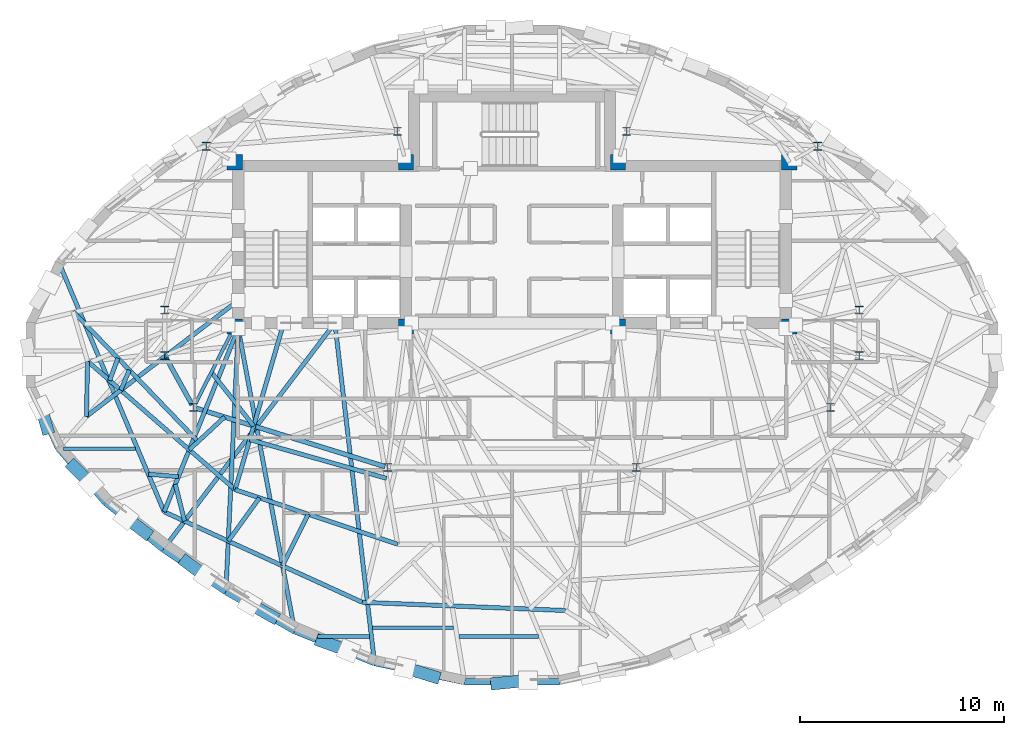
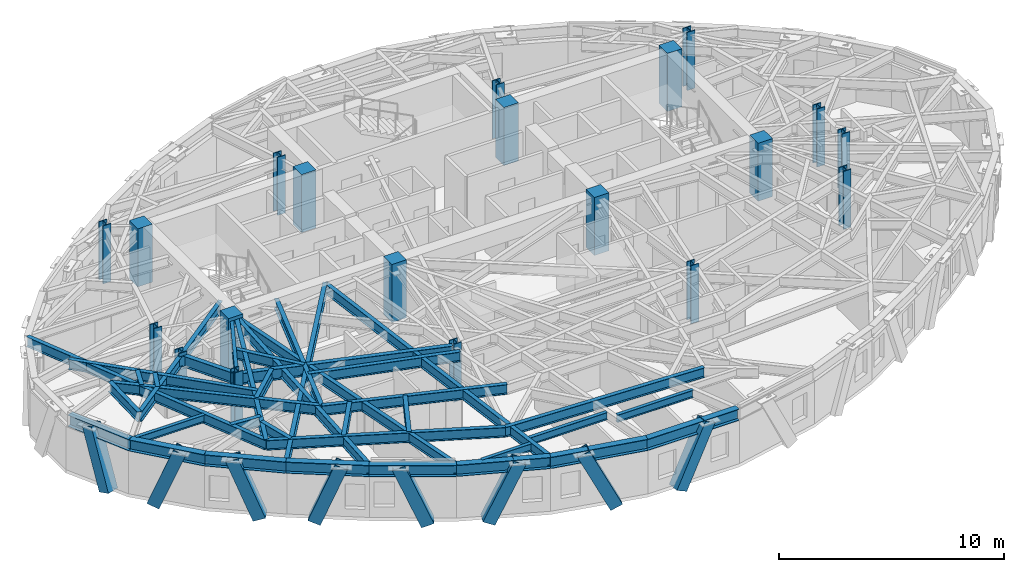
# One storey, part 1 of 13: 38 beams, 20 columns, 8 members.
"""IFC4 building model written with IfcOpenShell, lengths in metres."""

from ifc_helpers import new_model, si_unit, direction, frame, origin, origin_2d, place, context, subcontext, project, spatial, rectangle, hollow_rectangle, i_section, extrude, material, material_profile, profile_set, type_object, element, save


model = new_model("IFC4")

# Units and contexts
model_context = context("Model", 3, precision=1e-05, world=origin(), true_north=direction((0.0, 1.0)))
body_context = subcontext(model_context, "Body", "Model", "MODEL_VIEW")
ifc_project = project(units=[si_unit("LENGTHUNIT", "METRE"), si_unit("AREAUNIT", "SQUARE_METRE"), si_unit("VOLUMEUNIT", "CUBIC_METRE"), si_unit("PLANEANGLEUNIT", "RADIAN"), si_unit("MASSUNIT", "GRAM", prefix="KILO")], contexts=[model_context])

# Site, building, storey
site_placement = place(None, origin())
site = spatial("IfcSite", under=ifc_project, at=site_placement, CompositionType="ELEMENT")
building_placement = place(site_placement, origin())
building = spatial("IfcBuilding", under=site, at=building_placement, Name="Keldmark Tower", CompositionType="ELEMENT")
storey_placement = place(building_placement, frame((0.0, 0.0, 210.0)))
storey = spatial("IfcBuildingStorey", under=building, at=storey_placement, Name="L58", CompositionType="ELEMENT", Elevation=210.0)

# Columns
ifc_material_1 = material(Name="Concrete C50/60", Category="concrete")
ifc_material_profile_1 = material_profile(ifc_material_1, rectangle(XDim=0.75, YDim=0.75, at=origin_2d()), Name="RC750X750")
ifc_profile_set_1 = profile_set([ifc_material_profile_1], Name="Concrete C50/60")
column_type_1 = type_object("IfcColumnType", Name="Core Boundary Column RC750", PredefinedType="PILASTER", material=ifc_profile_set_1)
for number, where, z_axis, x_axis, name in (
    (1, (-13.60009765625, 1.39990234375, 0.0), (0.0, 0.0, 1.0), (1.0, 0.0, 0.0), "L58 Core Boundary Column CC-W1"),
    (2, (-13.60009765625, 9.449951171875, 0.0), (0.0, 0.0, 1.0), (1.0, 0.0, 0.0), "L58 Core Boundary Column CC-W2"),
    (3, (-5.199951171875, 1.39990234375, 0.0), (0.0, 0.0, 1.0), (1.0, 0.0, 0.0), "L58 Core Boundary Column CC-W3"),
    (4, (-5.199951171875, 9.449951171875, 0.0), (0.0, 0.0, 1.0), (1.0, 0.0, 0.0), "L58 Core Boundary Column CC-W4"),
    (5, (5.199951171875, 1.39990234375, 0.0), (0.0, 0.0, 1.0), (1.0, 0.0, 0.0), "L58 Core Boundary Column CC-E1"),
    (6, (5.199951171875, 9.449951171875, 0.0), (0.0, 0.0, 1.0), (1.0, 0.0, 0.0), "L58 Core Boundary Column CC-E2"),
    (7, (13.60009765625, 1.39990234375, 0.0), (0.0, 0.0, 1.0), (1.0, 0.0, 0.0), "L58 Core Boundary Column CC-E3"),
    (8, (13.60009765625, 9.449951171875, 0.0), (0.0, 0.0, 1.0), (1.0, 0.0, 0.0), "L58 Core Boundary Column CC-E4"),
):
    element("IfcColumn", number, at=place(storey_placement, frame(where, z_axis=z_axis, x_axis=x_axis)), inside=storey, type_object=column_type_1, Name=name, PredefinedType="PILASTER", context=body_context, shape_type="SweptSolid", body=[
        extrude(rectangle(XDim=0.75, YDim=0.75, at=origin_2d()), origin(), (0.0, 0.0, 1.0), 3.14990234375),
    ])
ifc_material_2 = material(Name="Steel ASTM A992 Grade 50", Category="steel")
ifc_material_profile_2 = material_profile(ifc_material_2, i_section(OverallWidth=0.404052734375, OverallDepth=0.406982421875, WebThickness=0.027099609375, FlangeThickness=0.043701171875, at=origin_2d()), Name="W14X233")
ifc_profile_set_2 = profile_set([ifc_material_profile_2], Name="Steel ASTM A992 Grade 50")
column_type_2 = type_object("IfcColumnType", Name="Tower Gravity Column W14X233", PredefinedType="COLUMN", material=ifc_profile_set_2)
for number, where, z_axis, x_axis, name in (
    (9, (17.025634765625, 2.2080078125, 0.0), (0.0, 0.0, 1.0), (1.0, 0.0, 0.0), "L58 Tower Gravity Column TC-E1"),
    (10, (14.995849609375, 10.24365234375, 0.0), (0.0, 0.0, 1.0), (1.0, 0.0, 0.0), "L58 Tower Gravity Column TC-E4"),
    (11, (5.61865234375, 10.967041015625, 0.0), (0.0, 0.0, 1.0), (1.0, 0.0, 0.0), "L58 Tower Gravity Column TC-N2"),
    (12, (-5.61865234375, 10.967041015625, 0.0), (0.0, 0.0, 1.0), (1.0, 0.0, 0.0), "L58 Tower Gravity Column TC-N1"),
    (13, (-14.995849609375, 10.24365234375, 0.0), (0.0, 0.0, 1.0), (1.0, 0.0, 0.0), "L58 Tower Gravity Column TC-W4"),
    (14, (-17.025634765625, 2.2080078125, 0.0), (0.0, 0.0, 1.0), (1.0, 0.0, 0.0), "L58 Tower Gravity Column TC-W1"),
    (15, (-17.025634765625, -0.02392578125, 0.0), (0.0, 0.0, 1.0), (1.0, 0.0, 0.0), "L58 Tower Gravity Column TC-W5"),
    (16, (-15.6162109375, -2.5673828125, 0.0), (0.0, 0.0, 1.0), (1.0, 0.0, 0.0), "L58 Tower Gravity Column TC-W2"),
    (17, (-6.089599609375, -5.512939453125, 0.0), (0.0, 0.0, 1.0), (1.0, 0.0, 0.0), "L58 Tower Gravity Column TC-W3"),
    (18, (6.089599609375, -5.512939453125, 0.0), (0.0, 0.0, 1.0), (1.0, 0.0, 0.0), "L58 Tower Gravity Column TC-E3"),
    (19, (15.6162109375, -2.5673828125, 0.0), (0.0, 0.0, 1.0), (1.0, 0.0, 0.0), "L58 Tower Gravity Column TC-E2"),
    (20, (17.025634765625, -0.02392578125, 0.0), (0.0, 0.0, 1.0), (1.0, 0.0, 0.0), "L58 Tower Gravity Column TC-E5"),
):
    element("IfcColumn", number, at=place(storey_placement, frame(where, z_axis=z_axis, x_axis=x_axis)), inside=storey, type_object=column_type_2, Name=name, PredefinedType="COLUMN", context=body_context, shape_type="SweptSolid", body=[
        extrude(i_section(OverallWidth=0.404052734375, OverallDepth=0.406982421875, WebThickness=0.027099609375, FlangeThickness=0.043701171875, at=origin_2d()), origin(), (0.0, 0.0, 1.0), 3.14990234375),
    ])

# Beams
ifc_material_3 = material(Name="Steel ASTM A992 Grade 50", Category="steel")
ifc_material_profile_3 = material_profile(ifc_material_3, i_section(OverallWidth=0.177978515625, OverallDepth=0.403076171875, WebThickness=0.007568359375, FlangeThickness=0.010986328125, at=origin_2d()), Name="W16X36")
ifc_profile_set_3 = profile_set([ifc_material_profile_3], Name="Steel ASTM A992 Grade 50")
beam_type_1 = type_object("IfcBeamType", Name="Composite Floor Joist W16X36", PredefinedType="JOIST", material=ifc_profile_set_3)
beam_1_placement = place(storey_placement, frame((-9.532958984375, -13.800048828125, 2.7685546875), z_axis=(1.0, 0.0, 0.0), x_axis=(0.0, 1.0, 0.0)))
element("IfcBeam", 21, at=beam_1_placement, inside=storey, type_object=beam_type_1, Name="L58 Composite Floor Joist J01", PredefinedType="JOIST", context=body_context, shape_type="SweptSolid", body=[
    extrude(i_section(OverallWidth=0.177978515625, OverallDepth=0.403076171875, WebThickness=0.007568359375, FlangeThickness=0.010986328125, at=origin_2d()), origin(), (0.0, 0.0, 1.0), 2.54296875),
])
beam_2_placement = place(storey_placement, frame((-6.845703125, -13.3798828125, 2.7685546875), z_axis=(1.0, 0.0, 0.0), x_axis=(0.0, 1.0, 0.0)))
element("IfcBeam", 22, at=beam_2_placement, inside=storey, type_object=beam_type_1, Name="L58 Composite Floor Joist J02", PredefinedType="JOIST", context=body_context, shape_type="SweptSolid", body=[
    extrude(i_section(OverallWidth=0.177978515625, OverallDepth=0.403076171875, WebThickness=0.007568359375, FlangeThickness=0.010986328125, at=origin_2d()), origin(), (0.0, 0.0, 1.0), 3.98583984375),
])
beam_3_placement = place(storey_placement, frame((-2.59521484375, -13.800048828125, 2.7685546875), z_axis=(1.0, 0.0, 0.0), x_axis=(0.0, 1.0, 0.0)))
element("IfcBeam", 23, at=beam_3_placement, inside=storey, type_object=beam_type_1, Name="L58 Composite Floor Joist J03", PredefinedType="JOIST", context=body_context, shape_type="SweptSolid", body=[
    extrude(i_section(OverallWidth=0.177978515625, OverallDepth=0.403076171875, WebThickness=0.007568359375, FlangeThickness=0.010986328125, at=origin_2d()), origin(), (0.0, 0.0, 1.0), 3.904052734375),
])
beam_4_placement = place(storey_placement, frame((-22.00439453125, -4.60009765625, 2.7685546875), z_axis=(1.0, 0.0, 0.0), x_axis=(0.0, 1.0, 0.0)))
element("IfcBeam", 24, at=beam_4_placement, inside=storey, type_object=beam_type_1, Name="L58 Composite Floor Joist J05", PredefinedType="JOIST", context=body_context, shape_type="SweptSolid", body=[
    extrude(i_section(OverallWidth=0.177978515625, OverallDepth=0.403076171875, WebThickness=0.007568359375, FlangeThickness=0.010986328125, at=origin_2d()), origin(), (0.0, 0.0, 1.0), 3.540771484375),
])

# Members
ifc_material_4 = material(Name="Steel ASTM A572 Grade 50", Category="steel")
ifc_material_profile_4 = material_profile(ifc_material_4, hollow_rectangle(XDim=0.60009765625, YDim=0.60009765625, WallThickness=0.034912109375, at=origin_2d()), Name="BOX600X600X35")
ifc_profile_set_4 = profile_set([ifc_material_profile_4], Name="Steel ASTM A572 Grade 50")
member_type = type_object("IfcMemberType", Name="Diagrid Zone 4 Brace BOX600X600X35", PredefinedType="BRACE", material=ifc_profile_set_4)
member_1_placement = place(storey_placement, frame((-22.7939453125, -3.59228515625, -0.260009765625), z_axis=(-0.090240232025, 0.310901737661, 0.946148408043), x_axis=(-0.960364059003, -0.278748765334, 0.0)))
element("IfcMember", 25, at=member_1_placement, inside=storey, type_object=member_type, Name="L58 Perimeter Diagrid Brace 09A", PredefinedType="BRACE", context=body_context, shape_type="SweptSolid", body=[
    extrude(hollow_rectangle(XDim=0.60009765625, YDim=0.60009765625, WallThickness=0.034912109375, at=origin_2d()), origin(), (0.0, 0.0, 1.0), 3.287109375),
])
member_2_placement = place(storey_placement, frame((-21.50439453125, -5.4619140625, -0.260009765625), z_axis=(0.257204131961, -0.258665934359, 0.931095037525), x_axis=(0.709107637227, 0.705100247359, 0.0)))
element("IfcMember", 26, at=member_2_placement, inside=storey, type_object=member_type, Name="L58 Perimeter Diagrid Brace 09B", PredefinedType="BRACE", context=body_context, shape_type="SweptSolid", body=[
    extrude(hollow_rectangle(XDim=0.60009765625, YDim=0.60009765625, WallThickness=0.034912109375, at=origin_2d()), origin(), (0.0, 0.0, 1.0), 3.34033203125),
])
member_3_placement = place(storey_placement, frame((-17.96337890625, -8.708984375, -0.260009765625), z_axis=(-0.291346772055, 0.223292839335, 0.930192112585), x_axis=(-0.608306252229, -0.793702402352, 0.0)))
element("IfcMember", 27, at=member_3_placement, inside=storey, type_object=member_type, Name="L58 Perimeter Diagrid Brace 10A", PredefinedType="BRACE", context=body_context, shape_type="SweptSolid", body=[
    extrude(hollow_rectangle(XDim=0.60009765625, YDim=0.60009765625, WallThickness=0.034912109375, at=origin_2d()), origin(), (0.0, 0.0, 1.0), 3.343505859375),
])
member_4_placement = place(storey_placement, frame((-15.97998046875, -10.14111328125, -0.260009765625), z_axis=(0.291729776838, -0.216621609174, 0.931648439995), x_axis=(0.596160940439, 0.802864953211, 0.0)))
element("IfcMember", 28, at=member_4_placement, inside=storey, type_object=member_type, Name="L58 Perimeter Diagrid Brace 10B", PredefinedType="BRACE", context=body_context, shape_type="SweptSolid", body=[
    extrude(hollow_rectangle(XDim=0.60009765625, YDim=0.60009765625, WallThickness=0.034912109375, at=origin_2d()), origin(), (0.0, 0.0, 1.0), 3.33837890625),
])
member_5_placement = place(storey_placement, frame((-11.73681640625, -12.831787109375, -0.260009765625), z_axis=(-0.335559982511, 0.189979243282, 0.922663202506), x_axis=(-0.492676053826, -0.870212793509, 0.0)))
element("IfcMember", 29, at=member_5_placement, inside=storey, type_object=member_type, Name="L58 Perimeter Diagrid Brace 11A", PredefinedType="BRACE", context=body_context, shape_type="SweptSolid", body=[
    extrude(hollow_rectangle(XDim=0.60009765625, YDim=0.60009765625, WallThickness=0.034912109375, at=origin_2d()), origin(), (0.0, 0.0, 1.0), 3.370849609375),
])
member_6_placement = place(storey_placement, frame((-9.344970703125, -14.027587890625, -0.260009765625), z_axis=(0.388043307674, -0.140502137383, 0.910868563932), x_axis=(0.340449006491, 0.940262981287, 0.0)))
element("IfcMember", 30, at=member_6_placement, inside=storey, type_object=member_type, Name="L58 Perimeter Diagrid Brace 11B", PredefinedType="BRACE", context=body_context, shape_type="SweptSolid", body=[
    extrude(hollow_rectangle(XDim=0.60009765625, YDim=0.60009765625, WallThickness=0.034912109375, at=origin_2d()), origin(), (0.0, 0.0, 1.0), 3.41455078125),
])
member_7_placement = place(storey_placement, frame((-3.808837890625, -15.77587890625, -0.260009765625), z_axis=(-0.417902527142, 0.12807487485, 0.899418870294), x_axis=(-0.293018682572, -0.956106715625, 0.0)))
element("IfcMember", 31, at=member_7_placement, inside=storey, type_object=member_type, Name="L58 Perimeter Diagrid Brace 12A", PredefinedType="BRACE", context=body_context, shape_type="SweptSolid", body=[
    extrude(hollow_rectangle(XDim=0.60009765625, YDim=0.60009765625, WallThickness=0.034912109375, at=origin_2d()), origin(), (0.0, 0.0, 1.0), 3.4580078125),
])
member_8_placement = place(storey_placement, frame((-0.776611328125, -16.10595703125, -0.260009765625), z_axis=(0.44737007556, 0.04396567984, 0.893267616389), x_axis=(-0.097804691048, 0.995205628204, 0.0)))
element("IfcMember", 32, at=member_8_placement, inside=storey, type_object=member_type, Name="L58 Perimeter Diagrid Brace 12B", PredefinedType="BRACE", context=body_context, shape_type="SweptSolid", body=[
    extrude(hollow_rectangle(XDim=0.60009765625, YDim=0.60009765625, WallThickness=0.034912109375, at=origin_2d()), origin(), (0.0, 0.0, 1.0), 3.481689453125),
])

# Beams
ifc_material_5 = material(Name="Steel ASTM A992 Grade 50", Category="steel")
ifc_material_profile_5 = material_profile(ifc_material_5, i_section(OverallWidth=0.22802734375, OverallDepth=0.60302734375, WebThickness=0.010498046875, FlangeThickness=0.014892578125, at=origin_2d()), Name="W24X68")
ifc_profile_set_5 = profile_set([ifc_material_profile_5], Name="Steel ASTM A992 Grade 50")
beam_type_2 = type_object("IfcBeamType", Name="Primary Floor Girder W24X68", PredefinedType="BEAM", material=ifc_profile_set_5)
beam_5_placement = place(storey_placement, frame((-16.957763671875, -0.146484375, 2.66845703125), z_axis=(0.484719680408, -0.874669555561, 0.0), x_axis=(0.874669555561, 0.484719680408, 0.0)))
element("IfcBeam", 33, at=beam_5_placement, inside=storey, type_object=beam_type_2, Name="L58 Floor Ring Girder FG-R07", PredefinedType="BEAM", context=body_context, shape_type="SweptSolid", body=[
    extrude(i_section(OverallWidth=0.22802734375, OverallDepth=0.60302734375, WebThickness=0.010498046875, FlangeThickness=0.014892578125, at=origin_2d()), origin(), (0.0, 0.0, 1.0), 2.627685546875),
])
beam_6_placement = place(storey_placement, frame((-15.482421875, -2.60888671875, 2.66845703125), z_axis=(0.955383255089, -0.295368982622, 0.0), x_axis=(0.295368982622, 0.955383255089, 0.0)))
element("IfcBeam", 34, at=beam_6_placement, inside=storey, type_object=beam_type_2, Name="L58 Floor Ring Girder FG-R08", PredefinedType="BEAM", context=body_context, shape_type="SweptSolid", body=[
    extrude(i_section(OverallWidth=0.22802734375, OverallDepth=0.60302734375, WebThickness=0.010498046875, FlangeThickness=0.014892578125, at=origin_2d()), origin(), (0.0, 0.0, 1.0), 9.69140625),
])
ifc_material_6 = material(Name="Steel ASTM A992 Grade 50", Category="steel")
ifc_material_profile_6 = material_profile(ifc_material_6, i_section(OverallWidth=0.166015625, OverallDepth=0.529052734375, WebThickness=0.009765625, FlangeThickness=0.013671875, at=origin_2d()), Name="W21X50")
ifc_profile_set_6 = profile_set([ifc_material_profile_6], Name="Steel ASTM A992 Grade 50")
beam_type_3 = type_object("IfcBeamType", Name="Radial Tie Girder W21X50", PredefinedType="BEAM", material=ifc_profile_set_6)
beam_7_placement = place(storey_placement, frame((-15.552734375, -2.442626953125, 2.70556640625), z_axis=(0.453004410574, 0.89150827478, 0.0), x_axis=(-0.89150827478, 0.453004410574, 0.0)))
element("IfcBeam", 35, at=beam_7_placement, inside=storey, type_object=beam_type_3, Name="L58 Floor Radial Girder FG-C08", PredefinedType="BEAM", context=body_context, shape_type="SweptSolid", body=[
    extrude(i_section(OverallWidth=0.166015625, OverallDepth=0.529052734375, WebThickness=0.009765625, FlangeThickness=0.013671875, at=origin_2d()), origin(), (0.0, 0.0, 1.0), 3.990234375),
])
ifc_material_7 = material(Name="Steel ASTM A992 Grade 50", Category="steel")
ifc_material_profile_7 = material_profile(ifc_material_7, i_section(OverallWidth=0.2099609375, OverallDepth=0.537109375, WebThickness=0.010986328125, FlangeThickness=0.017333984375, at=origin_2d()), Name="W21X68")
ifc_profile_set_7 = profile_set([ifc_material_profile_7], Name="Steel ASTM A992 Grade 50")
beam_type_4 = type_object("IfcBeamType", Name="Radial Tie Girder W21X68", PredefinedType="BEAM", material=ifc_profile_set_7)
beam_8_placement = place(storey_placement, frame((-14.7392578125, -0.841796875, 2.701416015625), z_axis=(0.617673635269, -0.78643453656, 0.0), x_axis=(0.78643453656, 0.617673635269, 0.0)))
element("IfcBeam", 36, at=beam_8_placement, inside=storey, type_object=beam_type_4, Name="L58 Framing Pin Header PH-002", PredefinedType="BEAM", context=body_context, shape_type="SweptSolid", body=[
    extrude(i_section(OverallWidth=0.2099609375, OverallDepth=0.537109375, WebThickness=0.010986328125, FlangeThickness=0.017333984375, at=origin_2d()), origin(), (0.0, 0.0, 1.0), 3.353271484375),
])
beam_9_placement = place(storey_placement, frame((-11.19287109375, 1.574951171875, 2.701416015625), z_axis=(-0.280177253501, -0.959948283305, 0.0), x_axis=(0.959948283305, -0.280177253501, 0.0)))
element("IfcBeam", 37, at=beam_9_placement, inside=storey, type_object=beam_type_4, Name="L58 Sub-Ring Step Girder STP1-M08", PredefinedType="BEAM", context=body_context, shape_type="SweptSolid", body=[
    extrude(i_section(OverallWidth=0.2099609375, OverallDepth=0.537109375, WebThickness=0.010986328125, FlangeThickness=0.017333984375, at=origin_2d()), origin(), (0.0, 0.0, 1.0), 8.51513671875),
])
beam_10_placement = place(storey_placement, frame((-12.86279296875, -4.14697265625, 2.701416015625), z_axis=(0.962213141849, -0.272297391934, 0.0), x_axis=(0.272297391934, 0.962213141849, 0.0)))
element("IfcBeam", 38, at=beam_10_placement, inside=storey, type_object=beam_type_4, Name="L58 Framing Pin Header PH-003", PredefinedType="BEAM", context=body_context, shape_type="SweptSolid", body=[
    extrude(i_section(OverallWidth=0.2099609375, OverallDepth=0.537109375, WebThickness=0.010986328125, FlangeThickness=0.017333984375, at=origin_2d()), origin(), (0.0, 0.0, 1.0), 6.9736328125),
])
beam_11_placement = place(storey_placement, frame((-20.813720703125, -0.30322265625, 2.701416015625), z_axis=(0.75437311483, -0.656445887809, 0.0), x_axis=(0.656445887809, 0.75437311483, 0.0)))
element("IfcBeam", 39, at=beam_11_placement, inside=storey, type_object=beam_type_4, Name="L58 Perimeter Collector Ring Beam CRG1-M07", PredefinedType="BEAM", context=body_context, shape_type="SweptSolid", body=[
    extrude(i_section(OverallWidth=0.2099609375, OverallDepth=0.537109375, WebThickness=0.010986328125, FlangeThickness=0.017333984375, at=origin_2d()), origin(), (0.0, 0.0, 1.0), 9.5908203125),
])
beam_12_placement = place(storey_placement, frame((-13.57861328125, -6.59912109375, 2.701416015625), z_axis=(0.947893328754, -0.318587880034, 0.0), x_axis=(0.318587880034, 0.947893328754, 0.0)))
element("IfcBeam", 40, at=beam_12_placement, inside=storey, type_object=beam_type_4, Name="L58 Perimeter Collector Ring Beam CRG1-M08", PredefinedType="BEAM", context=body_context, shape_type="SweptSolid", body=[
    extrude(i_section(OverallWidth=0.2099609375, OverallDepth=0.537109375, WebThickness=0.010986328125, FlangeThickness=0.017333984375, at=origin_2d()), origin(), (0.0, 0.0, 1.0), 8.406494140625),
])
beam_13_placement = place(storey_placement, frame((-14.093505859375, -3.0380859375, 2.701416015625), z_axis=(-0.733522050486, -0.679665654164, 0.0), x_axis=(0.679665654164, -0.733522050486, 0.0)))
element("IfcBeam", 41, at=beam_13_placement, inside=storey, type_object=beam_type_4, Name="L58 Framing Pin Header PH-007", PredefinedType="BEAM", context=body_context, shape_type="SweptSolid", body=[
    extrude(i_section(OverallWidth=0.2099609375, OverallDepth=0.537109375, WebThickness=0.010986328125, FlangeThickness=0.017333984375, at=origin_2d()), origin(), (0.0, 0.0, 1.0), 2.36181640625),
])
beam_14_placement = place(storey_placement, frame((-13.425048828125, 1.300048828125, 2.701416015625), z_axis=(-0.374562996467, -0.927201467685, 0.0), x_axis=(0.927201467685, -0.374562996467, 0.0)))
element("IfcBeam", 42, at=beam_14_placement, inside=storey, type_object=beam_type_4, Name="L58 Sub-Ring Step Girder STP2-M08", PredefinedType="BEAM", context=body_context, shape_type="SweptSolid", body=[
    extrude(i_section(OverallWidth=0.2099609375, OverallDepth=0.537109375, WebThickness=0.010986328125, FlangeThickness=0.017333984375, at=origin_2d()), origin(), (0.0, 0.0, 1.0), 9.69287109375),
])
beam_15_placement = place(storey_placement, frame((-17.0556640625, -7.687255859375, 2.701416015625), z_axis=(0.909623799146, -0.415432959726, 0.0), x_axis=(0.415432959726, 0.909623799146, 0.0)))
element("IfcBeam", 43, at=beam_15_placement, inside=storey, type_object=beam_type_4, Name="L58 Perimeter Collector Ring Beam CRG2-M08", PredefinedType="BEAM", context=body_context, shape_type="SweptSolid", body=[
    extrude(i_section(OverallWidth=0.2099609375, OverallDepth=0.537109375, WebThickness=0.010986328125, FlangeThickness=0.017333984375, at=origin_2d()), origin(), (0.0, 0.0, 1.0), 10.68212890625),
])
beam_16_placement = place(storey_placement, frame((-7.3388671875, -12.125, 2.701416015625), z_axis=(0.999184195532, -0.040384940262, 0.0), x_axis=(0.040384940262, 0.999184195532, 0.0)))
element("IfcBeam", 44, at=beam_16_placement, inside=storey, type_object=beam_type_4, Name="L58 Perimeter Collector Ring Beam CRG2-M09", PredefinedType="BEAM", context=body_context, shape_type="SweptSolid", body=[
    extrude(i_section(OverallWidth=0.2099609375, OverallDepth=0.537109375, WebThickness=0.010986328125, FlangeThickness=0.017333984375, at=origin_2d()), origin(), (0.0, 0.0, 1.0), 9.962646484375),
])
beam_17_placement = place(storey_placement, frame((-19.728271484375, -1.247802734375, 2.701416015625), z_axis=(0.344408066753, 0.938820048548, 0.0), x_axis=(-0.938820048548, 0.344408066753, 0.0)))
element("IfcBeam", 45, at=beam_17_placement, inside=storey, type_object=beam_type_4, Name="L58 Framing Pin Header PH-016", PredefinedType="BEAM", context=body_context, shape_type="SweptSolid", body=[
    extrude(i_section(OverallWidth=0.2099609375, OverallDepth=0.537109375, WebThickness=0.010986328125, FlangeThickness=0.017333984375, at=origin_2d()), origin(), (0.0, 0.0, 1.0), 1.1689453125),
])
beam_18_placement = place(storey_placement, frame((-15.392822265625, -4.2421875, 2.701416015625), z_axis=(-0.692990125945, 0.720947075271, 0.0), x_axis=(-0.720947075271, -0.692990125945, 0.0)))
element("IfcBeam", 46, at=beam_18_placement, inside=storey, type_object=beam_type_4, Name="L58 Intermediate Radial Step Girder RT-15M", PredefinedType="BEAM", context=body_context, shape_type="SweptSolid", body=[
    extrude(i_section(OverallWidth=0.2099609375, OverallDepth=0.537109375, WebThickness=0.010986328125, FlangeThickness=0.017333984375, at=origin_2d()), origin(), (0.0, 0.0, 1.0), 8.84619140625),
])
beam_19_placement = place(storey_placement, frame((-17.0556640625, -7.687255859375, 2.701416015625), z_axis=(-0.388967885596, 0.921251314232, 0.0), x_axis=(-0.921251314232, -0.388967885596, 0.0)))
element("IfcBeam", 47, at=beam_19_placement, inside=storey, type_object=beam_type_4, Name="L58 Perimeter Radial Tie Girder RT-15", PredefinedType="BEAM", context=body_context, shape_type="SweptSolid", body=[
    extrude(i_section(OverallWidth=0.2099609375, OverallDepth=0.537109375, WebThickness=0.010986328125, FlangeThickness=0.017333984375, at=origin_2d()), origin(), (0.0, 0.0, 1.0), 13.3095703125),
])
beam_20_placement = place(storey_placement, frame((-18.764404296875, -0.734375, 2.701416015625), z_axis=(-0.391362391985, -0.920236642468, 0.0), x_axis=(0.920236642468, -0.391362391985, 0.0)))
element("IfcBeam", 48, at=beam_20_placement, inside=storey, type_object=beam_type_4, Name="L58 Framing Pin Header PH-018", PredefinedType="BEAM", context=body_context, shape_type="SweptSolid", body=[
    extrude(i_section(OverallWidth=0.2099609375, OverallDepth=0.537109375, WebThickness=0.010986328125, FlangeThickness=0.017333984375, at=origin_2d()), origin(), (0.0, 0.0, 1.0), 1.072265625),
])
beam_21_placement = place(storey_placement, frame((-13.425048828125, 2.675048828125, 2.701416015625), z_axis=(-0.794878454083, -0.606768690058, 0.0), x_axis=(0.606768690058, -0.794878454083, 0.0)))
element("IfcBeam", 49, at=beam_21_placement, inside=storey, type_object=beam_type_4, Name="L58 Intermediate Radial Step Girder RT-18M", PredefinedType="BEAM", context=body_context, shape_type="SweptSolid", body=[
    extrude(i_section(OverallWidth=0.2099609375, OverallDepth=0.537109375, WebThickness=0.010986328125, FlangeThickness=0.017333984375, at=origin_2d()), origin(), (0.0, 0.0, 1.0), 9.365478515625),
])
beam_22_placement = place(storey_placement, frame((-20.813720703125, -0.30322265625, 2.701416015625), z_axis=(-0.020578831563, -0.999788233423, 0.0), x_axis=(0.999788233423, -0.020578831563, 0.0)))
element("IfcBeam", 50, at=beam_22_placement, inside=storey, type_object=beam_type_4, Name="L58 Local Collector Chord RT-18C", PredefinedType="BEAM", context=body_context, shape_type="SweptSolid", body=[
    extrude(i_section(OverallWidth=0.2099609375, OverallDepth=0.537109375, WebThickness=0.010986328125, FlangeThickness=0.017333984375, at=origin_2d()), origin(), (0.0, 0.0, 1.0), 2.704833984375),
])
beam_23_placement = place(storey_placement, frame((-17.83203125, -5.847900390625, 2.701416015625), z_axis=(0.997097079043, -0.076140757568, 0.0), x_axis=(0.076140757568, 0.997097079043, 0.0)))
element("IfcBeam", 51, at=beam_23_placement, inside=storey, type_object=beam_type_4, Name="L58 Framing Pin Header PH-019", PredefinedType="BEAM", context=body_context, shape_type="SweptSolid", body=[
    extrude(i_section(OverallWidth=0.2099609375, OverallDepth=0.537109375, WebThickness=0.010986328125, FlangeThickness=0.017333984375, at=origin_2d()), origin(), (0.0, 0.0, 1.0), 1.478271484375),
])
beam_24_placement = place(storey_placement, frame((-16.510986328125, -6.339111328125, 2.701416015625), z_axis=(0.244633792453, -0.969615546281, 0.0), x_axis=(0.969615546281, 0.244633792453, 0.0)))
element("IfcBeam", 52, at=beam_24_placement, inside=storey, type_object=beam_type_4, Name="L58 Framing Pin Header PH-020", PredefinedType="BEAM", context=body_context, shape_type="SweptSolid", body=[
    extrude(i_section(OverallWidth=0.2099609375, OverallDepth=0.537109375, WebThickness=0.010986328125, FlangeThickness=0.017333984375, at=origin_2d()), origin(), (0.0, 0.0, 1.0), 1.861328125),
])
beam_25_placement = place(storey_placement, frame((-8.685791015625, 1.574951171875, 2.701416015625), z_axis=(-0.604237523623, -0.796804251398, 0.0), x_axis=(0.796804251398, -0.604237523623, 0.0)))
element("IfcBeam", 53, at=beam_25_placement, inside=storey, type_object=beam_type_4, Name="L58 Perimeter Radial Tie Girder RT-20", PredefinedType="BEAM", context=body_context, shape_type="SweptSolid", body=[
    extrude(i_section(OverallWidth=0.2099609375, OverallDepth=0.537109375, WebThickness=0.010986328125, FlangeThickness=0.017333984375, at=origin_2d()), origin(), (0.0, 0.0, 1.0), 13.91943359375),
])
beam_26_placement = place(storey_placement, frame((-12.38330078125, -7.0009765625, 2.701416015625), z_axis=(-0.585371280866, -0.810765356646, 0.0), x_axis=(0.810765356646, -0.585371280866, 0.0)))
element("IfcBeam", 54, at=beam_26_placement, inside=storey, type_object=beam_type_4, Name="L58 Framing Pin Header PH-021", PredefinedType="BEAM", context=body_context, shape_type="SweptSolid", body=[
    extrude(i_section(OverallWidth=0.2099609375, OverallDepth=0.537109375, WebThickness=0.010986328125, FlangeThickness=0.017333984375, at=origin_2d()), origin(), (0.0, 0.0, 1.0), 2.615966796875),
])
beam_27_placement = place(storey_placement, frame((-13.425048828125, 1.300048828125, 2.701416015625), z_axis=(-0.046919115005, -0.998898691884, 0.0), x_axis=(0.998898691884, -0.046919115005, 0.0)))
element("IfcBeam", 55, at=beam_27_placement, inside=storey, type_object=beam_type_4, Name="L58 Perimeter Radial Tie Girder RT-21", PredefinedType="BEAM", context=body_context, shape_type="SweptSolid", body=[
    extrude(i_section(OverallWidth=0.2099609375, OverallDepth=0.537109375, WebThickness=0.010986328125, FlangeThickness=0.017333984375, at=origin_2d()), origin(), (0.0, 0.0, 1.0), 12.90966796875),
])
beam_28_placement = place(storey_placement, frame((-9.99267578125, -7.804443359375, 2.701416015625), z_axis=(-0.445037569951, -0.895511899046, 0.0), x_axis=(0.895511899046, -0.445037569951, 0.0)))
element("IfcBeam", 56, at=beam_28_placement, inside=storey, type_object=beam_type_4, Name="L58 Framing Pin Header PH-022", PredefinedType="BEAM", context=body_context, shape_type="SweptSolid", body=[
    extrude(i_section(OverallWidth=0.2099609375, OverallDepth=0.537109375, WebThickness=0.010986328125, FlangeThickness=0.017333984375, at=origin_2d()), origin(), (0.0, 0.0, 1.0), 2.8291015625),
])
beam_29_placement = place(storey_placement, frame((-13.425048828125, 1.300048828125, 2.701416015625), z_axis=(0.18357388155, -0.983005915553, 0.0), x_axis=(0.983005915553, 0.18357388155, 0.0)))
element("IfcBeam", 57, at=beam_29_placement, inside=storey, type_object=beam_type_4, Name="L58 Perimeter Radial Tie Girder RT-22", PredefinedType="BEAM", context=body_context, shape_type="SweptSolid", body=[
    extrude(i_section(OverallWidth=0.2099609375, OverallDepth=0.537109375, WebThickness=0.010986328125, FlangeThickness=0.017333984375, at=origin_2d()), origin(), (0.0, 0.0, 1.0), 15.078857421875),
])
beam_30_placement = place(storey_placement, frame((-8.685791015625, 1.574951171875, 2.701416015625), z_axis=(0.115802886744, -0.99327221416, 0.0), x_axis=(0.99327221416, 0.115802886744, 0.0)))
element("IfcBeam", 58, at=beam_30_placement, inside=storey, type_object=beam_type_4, Name="L58 Perimeter Radial Tie Girder RT-23", PredefinedType="BEAM", context=body_context, shape_type="SweptSolid", body=[
    extrude(i_section(OverallWidth=0.2099609375, OverallDepth=0.537109375, WebThickness=0.010986328125, FlangeThickness=0.017333984375, at=origin_2d()), origin(), (0.0, 0.0, 1.0), 16.766845703125),
])
ifc_material_8 = material(Name="Steel ASTM A992 Grade 50", Category="steel")
ifc_material_profile_8 = material_profile(ifc_material_8, i_section(OverallWidth=0.326904296875, OverallDepth=0.6220703125, WebThickness=0.015380859375, FlangeThickness=0.0244140625, at=origin_2d()), Name="W24X131")
ifc_profile_set_8 = profile_set([ifc_material_profile_8], Name="Steel ASTM A992 Grade 50")
beam_type_5 = type_object("IfcBeamType", Name="Spandrel Ring Beam W24X131", PredefinedType="SPANDREL", material=ifc_profile_set_8)
beam_31_placement = place(storey_placement, frame((-23.609130859375, -1.5771484375, 2.658935546875), z_axis=(0.417358097416, -0.908742107818, 0.0), x_axis=(0.908742107818, 0.417358097416, 0.0)))
element("IfcBeam", 59, at=beam_31_placement, inside=storey, type_object=beam_type_5, Name="L58 Perimeter Spandrel Ring Beam SRB-17", PredefinedType="SPANDREL", context=body_context, shape_type="SweptSolid", body=[
    extrude(i_section(OverallWidth=0.326904296875, OverallDepth=0.6220703125, WebThickness=0.015380859375, FlangeThickness=0.0244140625, at=origin_2d()), origin(), (0.0, 0.0, 1.0), 3.298095703125),
])
beam_32_placement = place(storey_placement, frame((-22.232666015625, -4.57421875, 2.658935546875), z_axis=(0.654183134366, -0.756336186302, 0.0), x_axis=(0.756336186302, 0.654183134366, 0.0)))
element("IfcBeam", 60, at=beam_32_placement, inside=storey, type_object=beam_type_5, Name="L58 Perimeter Spandrel Ring Beam SRB-18", PredefinedType="SPANDREL", context=body_context, shape_type="SweptSolid", body=[
    extrude(i_section(OverallWidth=0.326904296875, OverallDepth=0.6220703125, WebThickness=0.015380859375, FlangeThickness=0.0244140625, at=origin_2d()), origin(), (0.0, 0.0, 1.0), 3.508544921875),
])
beam_33_placement = place(storey_placement, frame((-19.9375, -7.227783203125, 2.658935546875), z_axis=(0.778794775864, -0.627278803314, 0.0), x_axis=(0.627278803314, 0.778794775864, 0.0)))
element("IfcBeam", 61, at=beam_33_placement, inside=storey, type_object=beam_type_5, Name="L58 Perimeter Spandrel Ring Beam SRB-19", PredefinedType="SPANDREL", context=body_context, shape_type="SweptSolid", body=[
    extrude(i_section(OverallWidth=0.326904296875, OverallDepth=0.6220703125, WebThickness=0.015380859375, FlangeThickness=0.0244140625, at=origin_2d()), origin(), (0.0, 0.0, 1.0), 3.64794921875),
])
beam_34_placement = place(storey_placement, frame((-17.096435546875, -9.51611328125, 2.658935546875), z_axis=(0.827592777121, -0.561328954586, 0.0), x_axis=(0.561328954586, 0.827592777121, 0.0)))
element("IfcBeam", 62, at=beam_34_placement, inside=storey, type_object=beam_type_5, Name="L58 Perimeter Spandrel Ring Beam SRB-20", PredefinedType="SPANDREL", context=body_context, shape_type="SweptSolid", body=[
    extrude(i_section(OverallWidth=0.326904296875, OverallDepth=0.6220703125, WebThickness=0.015380859375, FlangeThickness=0.0244140625, at=origin_2d()), origin(), (0.0, 0.0, 1.0), 3.704345703125),
])
beam_35_placement = place(storey_placement, frame((-14.03076171875, -11.595458984375, 2.658935546875), z_axis=(0.868339797426, -0.495969753317, 0.0), x_axis=(0.495969753317, 0.868339797426, 0.0)))
element("IfcBeam", 63, at=beam_35_placement, inside=storey, type_object=beam_type_5, Name="L58 Perimeter Spandrel Ring Beam SRB-21", PredefinedType="SPANDREL", context=body_context, shape_type="SweptSolid", body=[
    extrude(i_section(OverallWidth=0.326904296875, OverallDepth=0.6220703125, WebThickness=0.015380859375, FlangeThickness=0.0244140625, at=origin_2d()), origin(), (0.0, 0.0, 1.0), 3.88525390625),
])
beam_36_placement = place(storey_placement, frame((-10.656982421875, -13.5224609375, 2.658935546875), z_axis=(0.929170765931, -0.369650764558, 0.0), x_axis=(0.369650764558, 0.929170765931, 0.0)))
element("IfcBeam", 64, at=beam_36_placement, inside=storey, type_object=beam_type_5, Name="L58 Perimeter Spandrel Ring Beam SRB-22", PredefinedType="SPANDREL", context=body_context, shape_type="SweptSolid", body=[
    extrude(i_section(OverallWidth=0.326904296875, OverallDepth=0.6220703125, WebThickness=0.015380859375, FlangeThickness=0.0244140625, at=origin_2d()), origin(), (0.0, 0.0, 1.0), 4.211181640625),
])
beam_37_placement = place(storey_placement, frame((-6.744140625, -15.0791015625, 2.658935546875), z_axis=(0.97840271225, -0.206707843737, 0.0), x_axis=(0.206707843737, 0.97840271225, 0.0)))
element("IfcBeam", 65, at=beam_37_placement, inside=storey, type_object=beam_type_5, Name="L58 Perimeter Spandrel Ring Beam SRB-23", PredefinedType="SPANDREL", context=body_context, shape_type="SweptSolid", body=[
    extrude(i_section(OverallWidth=0.326904296875, OverallDepth=0.6220703125, WebThickness=0.015380859375, FlangeThickness=0.0244140625, at=origin_2d()), origin(), (0.0, 0.0, 1.0), 4.5166015625),
])
beam_38_placement = place(storey_placement, frame((-2.3251953125, -16.0126953125, 2.658935546875), z_axis=(1.0, 0.0, 0.0), x_axis=(0.0, 1.0, 0.0)))
element("IfcBeam", 66, at=beam_38_placement, inside=storey, type_object=beam_type_5, Name="L58 Perimeter Spandrel Ring Beam SRB-24", PredefinedType="SPANDREL", context=body_context, shape_type="SweptSolid", body=[
    extrude(i_section(OverallWidth=0.326904296875, OverallDepth=0.6220703125, WebThickness=0.015380859375, FlangeThickness=0.0244140625, at=origin_2d()), origin(), (0.0, 0.0, 1.0), 4.650390625),
])

save(model, "model.ifc")
